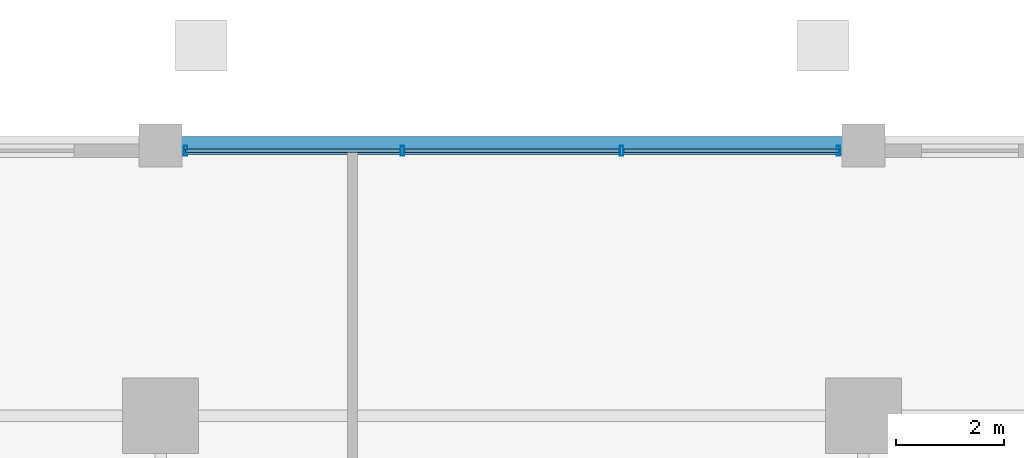
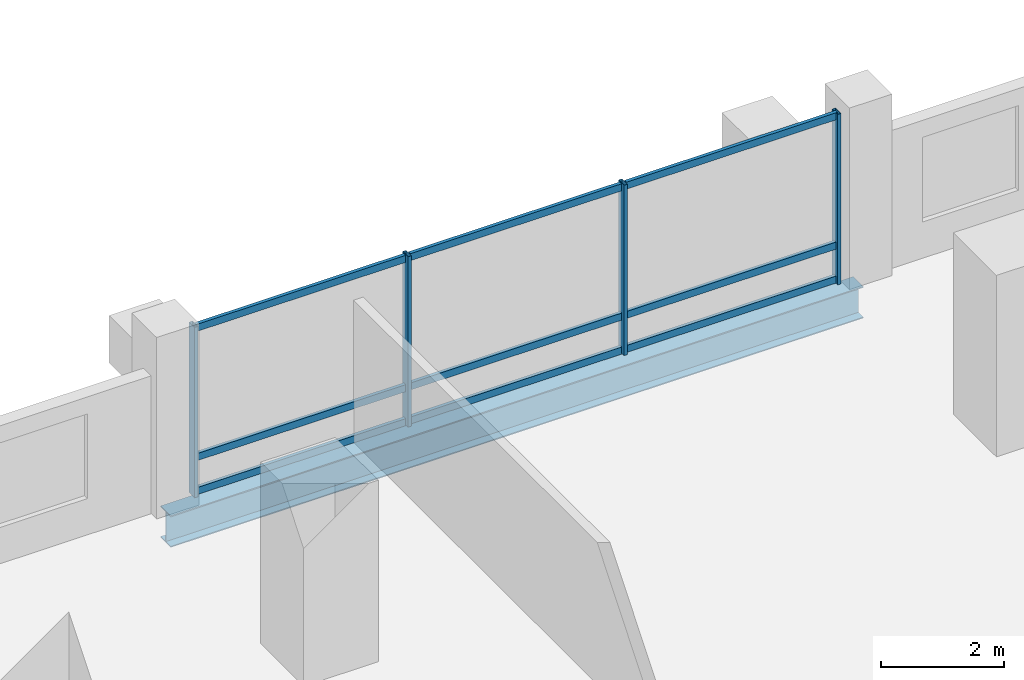
# One storey, part 13 of 21: 13 members, 1 beam, 1 element without a shape of its own.
"""IFC4 building model written with IfcOpenShell, lengths in metres."""

from ifc_helpers import new_model, si_unit, direction, frame, origin, origin_2d, place, context, subcontext, project, spatial, hollow_rectangle, i_section, extrude, material, layer, layer_set, material_profile, profile_set, type_object, element, aggregate, save


model = new_model("IFC4")

# Units and contexts
model_context = context("Model", 3, precision=1e-05, world=origin(), true_north=direction((0.0, 1.0)))
body_context = subcontext(model_context, "Body", "Model", "MODEL_VIEW")
ifc_project = project(units=[si_unit("LENGTHUNIT", "METRE"), si_unit("AREAUNIT", "SQUARE_METRE"), si_unit("VOLUMEUNIT", "CUBIC_METRE"), si_unit("PLANEANGLEUNIT", "RADIAN"), si_unit("MASSUNIT", "GRAM", prefix="KILO")], contexts=[model_context])

# Site, building, storey
site_placement = place(None, origin())
site = spatial("IfcSite", under=ifc_project, at=site_placement, CompositionType="ELEMENT")
building_placement = place(site_placement, origin())
building = spatial("IfcBuilding", under=site, at=building_placement, Name="Barlavira Tower and Art Museum", CompositionType="ELEMENT")
storey_placement = place(building_placement, frame((0.0, 0.0, 86.39990234375)))
storey = spatial("IfcBuildingStorey", under=building, at=storey_placement, Name="L21", CompositionType="ELEMENT", Elevation=86.39990234375)

# Curtain wall, members
ifc_material_1 = material(Name="Low-iron coastal laminated glass", Category="glass")
ifc_layer = layer(ifc_material_1, 0.179931640625, Name="Low-iron coastal laminated glass")
ifc_layer_set = layer_set([ifc_layer], Name="Low-iron coastal laminated glass")
curtain_wall_type = type_object("IfcCurtainWallType", Name="Pale-Metal Unitised Curtain Wall Zone 1", PredefinedType="NOTDEFINED", material=ifc_layer_set)
curtain_wall_placement = place(storey_placement, origin())
curtain_wall = element("IfcCurtainWall", 1, at=curtain_wall_placement, inside=storey, type_object=curtain_wall_type, Name="L21 Curtain Wall CW1-L21-N-B3", PredefinedType="NOTDEFINED")
ifc_material_2 = material(Name="Pale anodised aluminium", Category="aluminium")
ifc_material_profile_1 = material_profile(ifc_material_2, hollow_rectangle(XDim=0.06494140625, YDim=0.179931640625, WallThickness=0.00390625, at=origin_2d()), Name="ALU-MULL 65x180x4")
ifc_profile_set_1 = profile_set([ifc_material_profile_1], Name="Pale anodised aluminium")
member_type_1 = type_object("IfcMemberType", Name="Curtain Wall Pale-Metal Mullion 65x180", PredefinedType="MULLION", material=ifc_profile_set_1)
member_1_placement = place(storey_placement, frame((6.034912109375, 24.89990234375, 0.0), z_axis=(0.0, 0.0, 1.0), x_axis=(-1.0, 0.0, 0.0)))
member_1 = element("IfcMember", 2, at=member_1_placement, type_object=member_type_1, Name="CW1-L21-N-B3 Mullion 0", PredefinedType="MULLION", context=body_context, shape_type="SweptSolid", body=[
    extrude(hollow_rectangle(XDim=0.06494140625, YDim=0.179931640625, WallThickness=0.00390625, at=origin_2d()), origin(), (0.0, 0.0, 1.0), 3.380126953125),
])
member_2_placement = place(storey_placement, frame((2.026611328125, 24.89990234375, 0.0), z_axis=(0.0, 0.0, 1.0), x_axis=(-1.0, 0.0, 0.0)))
member_2 = element("IfcMember", 3, at=member_2_placement, type_object=member_type_1, Name="CW1-L21-N-B3 Mullion 1", PredefinedType="MULLION", context=body_context, shape_type="SweptSolid", body=[
    extrude(hollow_rectangle(XDim=0.06494140625, YDim=0.179931640625, WallThickness=0.00390625, at=origin_2d()), origin(), (0.0, 0.0, 1.0), 3.380126953125),
])
member_3_placement = place(storey_placement, frame((-2.026611328125, 24.89990234375, 0.0), z_axis=(0.0, 0.0, 1.0), x_axis=(-1.0, 0.0, 0.0)))
member_3 = element("IfcMember", 4, at=member_3_placement, type_object=member_type_1, Name="CW1-L21-N-B3 Mullion 2", PredefinedType="MULLION", context=body_context, shape_type="SweptSolid", body=[
    extrude(hollow_rectangle(XDim=0.06494140625, YDim=0.179931640625, WallThickness=0.00390625, at=origin_2d()), origin(), (0.0, 0.0, 1.0), 3.380126953125),
])
member_4_placement = place(storey_placement, frame((-6.034912109375, 24.89990234375, 0.0), z_axis=(0.0, 0.0, 1.0), x_axis=(-1.0, 0.0, 0.0)))
member_4 = element("IfcMember", 5, at=member_4_placement, type_object=member_type_1, Name="CW1-L21-N-B3 Mullion 3", PredefinedType="MULLION", context=body_context, shape_type="SweptSolid", body=[
    extrude(hollow_rectangle(XDim=0.06494140625, YDim=0.179931640625, WallThickness=0.00390625, at=origin_2d()), origin(), (0.0, 0.0, 1.0), 3.380126953125),
])
ifc_material_profile_2 = material_profile(ifc_material_2, hollow_rectangle(XDim=0.06494140625, YDim=0.139892578125, WallThickness=0.00390625, at=origin_2d()), Name="ALU-TRAN 65x140x4")
ifc_profile_set_2 = profile_set([ifc_material_profile_2], Name="Pale anodised aluminium")
member_type_2 = type_object("IfcMemberType", Name="Curtain Wall Pale-Metal Transom 65x140", PredefinedType="USERDEFINED", material=ifc_profile_set_2)
member_5_placement = place(storey_placement, frame((6.034912109375, 24.89990234375, 0.070068359375), z_axis=(-1.0, 0.0, 0.0), x_axis=(0.0, -1.0, 0.0)))
member_5 = element("IfcMember", 6, at=member_5_placement, type_object=member_type_2, Name="CW1-L21-N-B3 Transom 0.1", ObjectType="TRANSOM", PredefinedType="USERDEFINED", context=body_context, shape_type="SweptSolid", body=[
    extrude(hollow_rectangle(XDim=0.06494140625, YDim=0.139892578125, WallThickness=0.00390625, at=origin_2d()), origin(), (0.0, 0.0, 1.0), 3.963134765625),
])
member_6_placement = place(storey_placement, frame((6.034912109375, 24.89990234375, 0.744140625), z_axis=(-1.0, 0.0, 0.0), x_axis=(0.0, -1.0, 0.0)))
member_6 = element("IfcMember", 7, at=member_6_placement, type_object=member_type_2, Name="CW1-L21-N-B3 Transom 0.2", ObjectType="TRANSOM", PredefinedType="USERDEFINED", context=body_context, shape_type="SweptSolid", body=[
    extrude(hollow_rectangle(XDim=0.06494140625, YDim=0.139892578125, WallThickness=0.00390625, at=origin_2d()), origin(), (0.0, 0.0, 1.0), 3.963134765625),
])
member_7_placement = place(storey_placement, frame((6.034912109375, 24.89990234375, 3.31005859375), z_axis=(-1.0, 0.0, 0.0), x_axis=(0.0, -1.0, 0.0)))
member_7 = element("IfcMember", 8, at=member_7_placement, type_object=member_type_2, Name="CW1-L21-N-B3 Transom 0.3", ObjectType="TRANSOM", PredefinedType="USERDEFINED", context=body_context, shape_type="SweptSolid", body=[
    extrude(hollow_rectangle(XDim=0.06494140625, YDim=0.139892578125, WallThickness=0.00390625, at=origin_2d()), origin(), (0.0, 0.0, 1.0), 3.963134765625),
])
member_8_placement = place(storey_placement, frame((1.981689453125, 24.89990234375, 0.070068359375), z_axis=(-1.0, 0.0, 0.0), x_axis=(0.0, -1.0, 0.0)))
member_8 = element("IfcMember", 9, at=member_8_placement, type_object=member_type_2, Name="CW1-L21-N-B3 Transom 1.1", ObjectType="TRANSOM", PredefinedType="USERDEFINED", context=body_context, shape_type="SweptSolid", body=[
    extrude(hollow_rectangle(XDim=0.06494140625, YDim=0.139892578125, WallThickness=0.00390625, at=origin_2d()), origin(), (0.0, 0.0, 1.0), 3.96337890625),
])
member_9_placement = place(storey_placement, frame((1.981689453125, 24.89990234375, 0.744140625), z_axis=(-1.0, 0.0, 0.0), x_axis=(0.0, -1.0, 0.0)))
member_9 = element("IfcMember", 10, at=member_9_placement, type_object=member_type_2, Name="CW1-L21-N-B3 Transom 1.2", ObjectType="TRANSOM", PredefinedType="USERDEFINED", context=body_context, shape_type="SweptSolid", body=[
    extrude(hollow_rectangle(XDim=0.06494140625, YDim=0.139892578125, WallThickness=0.00390625, at=origin_2d()), origin(), (0.0, 0.0, 1.0), 3.96337890625),
])
member_10_placement = place(storey_placement, frame((1.981689453125, 24.89990234375, 3.31005859375), z_axis=(-1.0, 0.0, 0.0), x_axis=(0.0, -1.0, 0.0)))
member_10 = element("IfcMember", 11, at=member_10_placement, type_object=member_type_2, Name="CW1-L21-N-B3 Transom 1.3", ObjectType="TRANSOM", PredefinedType="USERDEFINED", context=body_context, shape_type="SweptSolid", body=[
    extrude(hollow_rectangle(XDim=0.06494140625, YDim=0.139892578125, WallThickness=0.00390625, at=origin_2d()), origin(), (0.0, 0.0, 1.0), 3.96337890625),
])
member_11_placement = place(storey_placement, frame((-2.07177734375, 24.89990234375, 0.070068359375), z_axis=(-1.0, 0.0, 0.0), x_axis=(0.0, -1.0, 0.0)))
member_11 = element("IfcMember", 12, at=member_11_placement, type_object=member_type_2, Name="CW1-L21-N-B3 Transom 2.1", ObjectType="TRANSOM", PredefinedType="USERDEFINED", context=body_context, shape_type="SweptSolid", body=[
    extrude(hollow_rectangle(XDim=0.06494140625, YDim=0.139892578125, WallThickness=0.00390625, at=origin_2d()), origin(), (0.0, 0.0, 1.0), 3.963134765625),
])
member_12_placement = place(storey_placement, frame((-2.07177734375, 24.89990234375, 0.744140625), z_axis=(-1.0, 0.0, 0.0), x_axis=(0.0, -1.0, 0.0)))
member_12 = element("IfcMember", 13, at=member_12_placement, type_object=member_type_2, Name="CW1-L21-N-B3 Transom 2.2", ObjectType="TRANSOM", PredefinedType="USERDEFINED", context=body_context, shape_type="SweptSolid", body=[
    extrude(hollow_rectangle(XDim=0.06494140625, YDim=0.139892578125, WallThickness=0.00390625, at=origin_2d()), origin(), (0.0, 0.0, 1.0), 3.963134765625),
])
member_13_placement = place(storey_placement, frame((-2.07177734375, 24.89990234375, 3.31005859375), z_axis=(-1.0, 0.0, 0.0), x_axis=(0.0, -1.0, 0.0)))
member_13 = element("IfcMember", 14, at=member_13_placement, type_object=member_type_2, Name="CW1-L21-N-B3 Transom 2.3", ObjectType="TRANSOM", PredefinedType="USERDEFINED", context=body_context, shape_type="SweptSolid", body=[
    extrude(hollow_rectangle(XDim=0.06494140625, YDim=0.139892578125, WallThickness=0.00390625, at=origin_2d()), origin(), (0.0, 0.0, 1.0), 3.963134765625),
])
aggregate(curtain_wall, [member_1, member_2, member_3, member_4, member_5, member_6, member_7, member_8, member_9, member_10, member_11, member_12, member_13])

# Beam
ifc_material_3 = material(Name="Steel S355", Category="steel")
ifc_material_profile_3 = material_profile(ifc_material_3, i_section(OverallWidth=0.327880859375, OverallDepth=0.62890625, WebThickness=0.013916015625, FlangeThickness=0.021484375, at=origin_2d()), Name="W610x174.0")
ifc_profile_set_3 = profile_set([ifc_material_profile_3], Name="Steel S355")
beam_type = type_object("IfcBeamType", Name="Perimeter Spandrel Edge Beam W610x174 Steel S355", PredefinedType="SPANDREL", material=ifc_profile_set_3)
beam_placement = place(storey_placement, frame((-6.5, 25.0, -0.534423828125), z_axis=(1.0, 0.0, 0.0), x_axis=(0.0, 1.0, 0.0)))
element("IfcBeam", 15, at=beam_placement, inside=storey, type_object=beam_type, Name="L21 Spandrel 10", PredefinedType="SPANDREL", context=body_context, shape_type="SweptSolid", body=[
    extrude(i_section(OverallWidth=0.327880859375, OverallDepth=0.62890625, WebThickness=0.013916015625, FlangeThickness=0.021484375, at=origin_2d()), origin(), (0.0, 0.0, 1.0), 13.0),
])

save(model, "model.ifc")
